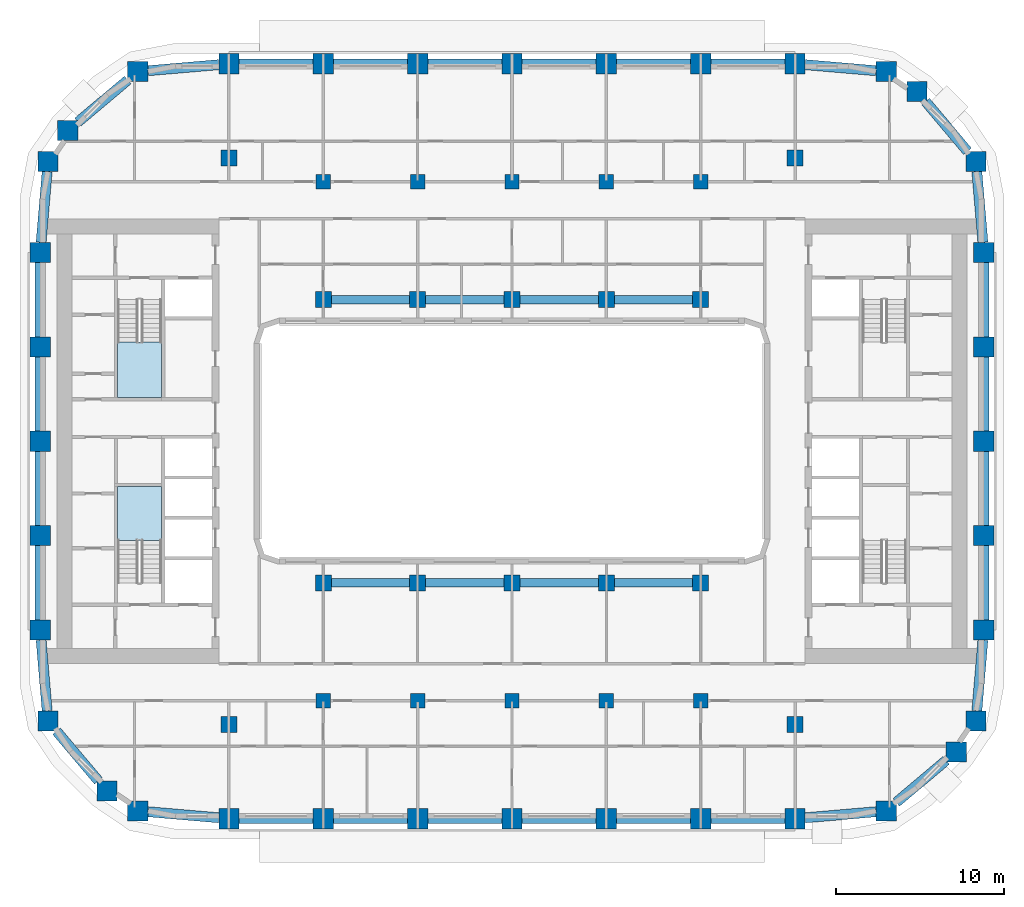
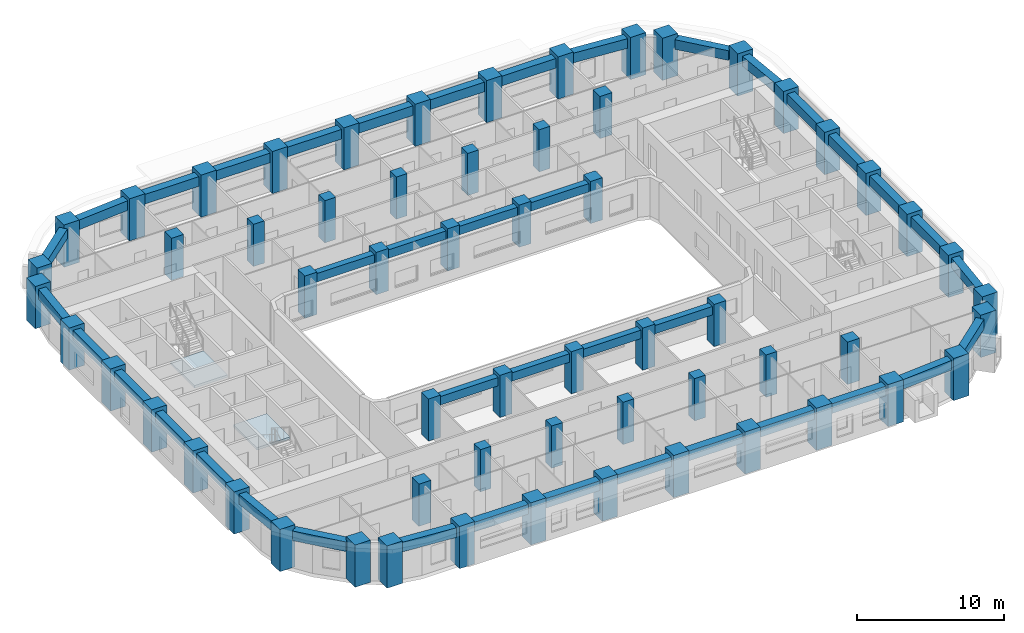
# One storey, part 1 of 22: 60 columns, 40 beams, 2 slabs, 2 elements without a shape of their own.
"""IFC4 building model written with IfcOpenShell, lengths in metres."""

from ifc_helpers import new_model, si_unit, direction, frame, origin, origin_2d, place, context, subcontext, project, spatial, polyline, rectangle, outline, extrude, material, layer, layer_set, material_profile, profile_set, type_object, element, aggregate, save


model = new_model("IFC4")

# Units and contexts
model_context = context("Model", 3, precision=1e-05, world=origin(), true_north=direction((0.0, 1.0)))
body_context = subcontext(model_context, "Body", "Model", "MODEL_VIEW")
ifc_project = project(units=[si_unit("LENGTHUNIT", "METRE"), si_unit("AREAUNIT", "SQUARE_METRE"), si_unit("VOLUMEUNIT", "CUBIC_METRE"), si_unit("PLANEANGLEUNIT", "RADIAN"), si_unit("MASSUNIT", "GRAM", prefix="KILO")], contexts=[model_context])

# Site, building, storey
site_placement = place(None, origin())
site = spatial("IfcSite", under=ifc_project, at=site_placement, CompositionType="ELEMENT")
building_placement = place(site_placement, origin())
building = spatial("IfcBuilding", under=site, at=building_placement, Name="Kiln Ring Residences", CompositionType="ELEMENT")
storey_placement = place(building_placement, frame((0.0, 0.0, 111.300048828125)))
storey = spatial("IfcBuildingStorey", under=building, at=storey_placement, Name="L28", CompositionType="ELEMENT", Elevation=111.300048828125)

# Columns
ifc_material_1 = material(Name="Concrete C80/95", Category="concrete")
ifc_material_profile_1 = material_profile(ifc_material_1, rectangle(XDim=0.85009765625, YDim=0.85009765625, at=origin_2d()), Name="RC850x850")
ifc_profile_set_1 = profile_set([ifc_material_profile_1], Name="Concrete C80/95")
column_type_1 = type_object("IfcColumnType", Name="Corridor column RC850x850 C80/95", PredefinedType="COLUMN", material=ifc_profile_set_1)
for number, where, z_axis, x_axis, name in (
    (1, (-11.199951171875, 15.39990234375, 0.0), (0.0, 0.0, 1.0), (1.0, 0.0, 0.0), "Corridor column L28 1"),
    (2, (-5.60009765625, 15.39990234375, 0.0), (0.0, 0.0, 1.0), (1.0, 0.0, 0.0), "Corridor column L28 2"),
    (3, (0.0, 15.39990234375, 0.0), (0.0, 0.0, 1.0), (1.0, 0.0, 0.0), "Corridor column L28 3"),
    (4, (5.60009765625, 15.39990234375, 0.0), (0.0, 0.0, 1.0), (1.0, 0.0, 0.0), "Corridor column L28 4"),
    (5, (11.199951171875, 15.39990234375, 0.0), (0.0, 0.0, 1.0), (1.0, 0.0, 0.0), "Corridor column L28 5"),
    (6, (-11.199951171875, -15.39990234375, 0.0), (0.0, 0.0, 1.0), (1.0, 0.0, 0.0), "Corridor column L28 6"),
    (7, (-5.60009765625, -15.39990234375, 0.0), (0.0, 0.0, 1.0), (1.0, 0.0, 0.0), "Corridor column L28 7"),
    (8, (0.0, -15.39990234375, 0.0), (0.0, 0.0, 1.0), (1.0, 0.0, 0.0), "Corridor column L28 8"),
    (9, (5.60009765625, -15.39990234375, 0.0), (0.0, 0.0, 1.0), (1.0, 0.0, 0.0), "Corridor column L28 9"),
    (10, (11.199951171875, -15.39990234375, 0.0), (0.0, 0.0, 1.0), (1.0, 0.0, 0.0), "Corridor column L28 10"),
):
    element("IfcColumn", number, at=place(storey_placement, frame(where, z_axis=z_axis, x_axis=x_axis)), inside=storey, type_object=column_type_1, Name=name, PredefinedType="COLUMN", context=body_context, shape_type="SweptSolid", body=[
        extrude(rectangle(XDim=0.85009765625, YDim=0.85009765625, at=origin_2d()), origin(), (0.0, 0.0, 1.0), 3.5),
    ])
ifc_material_2 = material(Name="Concrete C80/95", Category="concrete")
ifc_material_profile_2 = material_profile(ifc_material_2, rectangle(XDim=1.199951171875, YDim=1.199951171875, at=origin_2d()), Name="RC1200x1200")
ifc_profile_set_2 = profile_set([ifc_material_profile_2], Name="Concrete C80/95")
column_type_2 = type_object("IfcColumnType", Name="Perimeter column RC1200x1200 C80/95", PredefinedType="COLUMN", material=ifc_profile_set_2)
for number, where, z_axis, x_axis, name in (
    (11, (-22.208740234375, -21.93798828125, 0.0), (0.0, 0.0, 1.0), (1.0, 0.0, 0.0), "Perimeter column L28 1"),
    (12, (-16.800048828125, -22.39990234375, 0.0), (0.0, 0.0, 1.0), (1.0, 0.0, 0.0), "Perimeter column L28 2"),
    (13, (-11.199951171875, -22.39990234375, 0.0), (0.0, 0.0, 1.0), (1.0, 0.0, 0.0), "Perimeter column L28 3"),
    (14, (-5.60009765625, -22.39990234375, 0.0), (0.0, 0.0, 1.0), (1.0, 0.0, 0.0), "Perimeter column L28 4"),
    (15, (0.0, -22.39990234375, 0.0), (0.0, 0.0, 1.0), (1.0, 0.0, 0.0), "Perimeter column L28 5"),
    (16, (5.60009765625, -22.39990234375, 0.0), (0.0, 0.0, 1.0), (1.0, 0.0, 0.0), "Perimeter column L28 6"),
    (17, (11.199951171875, -22.39990234375, 0.0), (0.0, 0.0, 1.0), (1.0, 0.0, 0.0), "Perimeter column L28 7"),
    (18, (16.800048828125, -22.39990234375, 0.0), (0.0, 0.0, 1.0), (1.0, 0.0, 0.0), "Perimeter column L28 8"),
    (19, (22.208740234375, -21.93798828125, 0.0), (0.0, 0.0, 1.0), (1.0, 0.0, 0.0), "Perimeter column L28 9"),
    (20, (26.35986328125, -18.440185546875, 0.0), (0.0, 0.0, 1.0), (1.0, 0.0, 0.0), "Perimeter column L28 10"),
    (21, (27.5380859375, -16.608642578125, 0.0), (0.0, 0.0, 1.0), (1.0, 0.0, 0.0), "Perimeter column L28 11"),
    (22, (28.0, -11.199951171875, 0.0), (0.0, 0.0, 1.0), (1.0, 0.0, 0.0), "Perimeter column L28 12"),
    (23, (28.0, -5.60009765625, 0.0), (0.0, 0.0, 1.0), (1.0, 0.0, 0.0), "Perimeter column L28 13"),
    (24, (28.0, 0.0, 0.0), (0.0, 0.0, 1.0), (1.0, 0.0, 0.0), "Perimeter column L28 14"),
    (25, (28.0, 5.60009765625, 0.0), (0.0, 0.0, 1.0), (1.0, 0.0, 0.0), "Perimeter column L28 15"),
    (26, (28.0, 11.199951171875, 0.0), (0.0, 0.0, 1.0), (1.0, 0.0, 0.0), "Perimeter column L28 16"),
    (27, (27.5380859375, 16.608642578125, 0.0), (0.0, 0.0, 1.0), (1.0, 0.0, 0.0), "Perimeter column L28 17"),
    (28, (24.040283203125, 20.759765625, 0.0), (0.0, 0.0, 1.0), (1.0, 0.0, 0.0), "Perimeter column L28 18"),
    (29, (22.208740234375, 21.93798828125, 0.0), (0.0, 0.0, 1.0), (1.0, 0.0, 0.0), "Perimeter column L28 19"),
    (30, (16.800048828125, 22.39990234375, 0.0), (0.0, 0.0, 1.0), (1.0, 0.0, 0.0), "Perimeter column L28 20"),
    (31, (11.199951171875, 22.39990234375, 0.0), (0.0, 0.0, 1.0), (1.0, 0.0, 0.0), "Perimeter column L28 21"),
    (32, (5.60009765625, 22.39990234375, 0.0), (0.0, 0.0, 1.0), (1.0, 0.0, 0.0), "Perimeter column L28 22"),
    (33, (0.0, 22.39990234375, 0.0), (0.0, 0.0, 1.0), (1.0, 0.0, 0.0), "Perimeter column L28 23"),
    (34, (-5.60009765625, 22.39990234375, 0.0), (0.0, 0.0, 1.0), (1.0, 0.0, 0.0), "Perimeter column L28 24"),
    (35, (-11.199951171875, 22.39990234375, 0.0), (0.0, 0.0, 1.0), (1.0, 0.0, 0.0), "Perimeter column L28 25"),
    (36, (-16.800048828125, 22.39990234375, 0.0), (0.0, 0.0, 1.0), (1.0, 0.0, 0.0), "Perimeter column L28 26"),
    (37, (-22.208740234375, 21.93798828125, 0.0), (0.0, 0.0, 1.0), (1.0, 0.0, 0.0), "Perimeter column L28 27"),
    (38, (-26.35986328125, 18.440185546875, 0.0), (0.0, 0.0, 1.0), (1.0, 0.0, 0.0), "Perimeter column L28 28"),
    (39, (-27.5380859375, 16.608642578125, 0.0), (0.0, 0.0, 1.0), (1.0, 0.0, 0.0), "Perimeter column L28 29"),
    (40, (-28.0, 11.199951171875, 0.0), (0.0, 0.0, 1.0), (1.0, 0.0, 0.0), "Perimeter column L28 30"),
    (41, (-28.0, 5.60009765625, 0.0), (0.0, 0.0, 1.0), (1.0, 0.0, 0.0), "Perimeter column L28 31"),
    (42, (-28.0, 0.0, 0.0), (0.0, 0.0, 1.0), (1.0, 0.0, 0.0), "Perimeter column L28 32"),
    (43, (-28.0, -5.60009765625, 0.0), (0.0, 0.0, 1.0), (1.0, 0.0, 0.0), "Perimeter column L28 33"),
    (44, (-28.0, -11.199951171875, 0.0), (0.0, 0.0, 1.0), (1.0, 0.0, 0.0), "Perimeter column L28 34"),
    (45, (-27.5380859375, -16.608642578125, 0.0), (0.0, 0.0, 1.0), (1.0, 0.0, 0.0), "Perimeter column L28 35"),
    (46, (-24.040283203125, -20.759765625, 0.0), (0.0, 0.0, 1.0), (1.0, 0.0, 0.0), "Perimeter column L28 36"),
):
    element("IfcColumn", number, at=place(storey_placement, frame(where, z_axis=z_axis, x_axis=x_axis)), inside=storey, type_object=column_type_2, Name=name, PredefinedType="COLUMN", context=body_context, shape_type="SweptSolid", body=[
        extrude(rectangle(XDim=1.199951171875, YDim=1.199951171875, at=origin_2d()), origin(), (0.0, 0.0, 1.0), 3.5),
    ])
ifc_material_3 = material(Name="Concrete C80/95", Category="concrete")
ifc_material_profile_3 = material_profile(ifc_material_3, rectangle(XDim=0.949951171875, YDim=0.949951171875, at=origin_2d()), Name="RC950x950")
ifc_profile_set_3 = profile_set([ifc_material_profile_3], Name="Concrete C80/95")
column_type_3 = type_object("IfcColumnType", Name="Ring column RC950x950 C80/95", PredefinedType="COLUMN", material=ifc_profile_set_3)
for number, where, z_axis, x_axis, name in (
    (47, (-16.800048828125, -16.800048828125, 0.0), (0.0, 0.0, 1.0), (1.0, 0.0, 0.0), "Ring column L28 1"),
    (48, (-16.800048828125, 16.800048828125, 0.0), (0.0, 0.0, 1.0), (1.0, 0.0, 0.0), "Ring column L28 2"),
    (49, (-11.199951171875, -8.39990234375, 0.0), (0.0, 0.0, 1.0), (1.0, 0.0, 0.0), "Ring column L28 3"),
    (50, (-11.199951171875, 8.39990234375, 0.0), (0.0, 0.0, 1.0), (1.0, 0.0, 0.0), "Ring column L28 4"),
    (51, (-5.60009765625, -8.39990234375, 0.0), (0.0, 0.0, 1.0), (1.0, 0.0, 0.0), "Ring column L28 5"),
    (52, (-5.60009765625, 8.39990234375, 0.0), (0.0, 0.0, 1.0), (1.0, 0.0, 0.0), "Ring column L28 6"),
    (53, (0.0, -8.39990234375, 0.0), (0.0, 0.0, 1.0), (1.0, 0.0, 0.0), "Ring column L28 7"),
    (54, (0.0, 8.39990234375, 0.0), (0.0, 0.0, 1.0), (1.0, 0.0, 0.0), "Ring column L28 8"),
    (55, (5.60009765625, -8.39990234375, 0.0), (0.0, 0.0, 1.0), (1.0, 0.0, 0.0), "Ring column L28 9"),
    (56, (5.60009765625, 8.39990234375, 0.0), (0.0, 0.0, 1.0), (1.0, 0.0, 0.0), "Ring column L28 10"),
    (57, (11.199951171875, -8.39990234375, 0.0), (0.0, 0.0, 1.0), (1.0, 0.0, 0.0), "Ring column L28 11"),
    (58, (11.199951171875, 8.39990234375, 0.0), (0.0, 0.0, 1.0), (1.0, 0.0, 0.0), "Ring column L28 12"),
    (59, (16.800048828125, -16.800048828125, 0.0), (0.0, 0.0, 1.0), (1.0, 0.0, 0.0), "Ring column L28 13"),
    (60, (16.800048828125, 16.800048828125, 0.0), (0.0, 0.0, 1.0), (1.0, 0.0, 0.0), "Ring column L28 14"),
):
    element("IfcColumn", number, at=place(storey_placement, frame(where, z_axis=z_axis, x_axis=x_axis)), inside=storey, type_object=column_type_3, Name=name, PredefinedType="COLUMN", context=body_context, shape_type="SweptSolid", body=[
        extrude(rectangle(XDim=0.949951171875, YDim=0.949951171875, at=origin_2d()), origin(), (0.0, 0.0, 1.0), 3.5),
    ])

# Beams
ifc_material_4 = material(Name="Concrete C50/60", Category="concrete")
ifc_material_profile_4 = material_profile(ifc_material_4, rectangle(XDim=0.5, YDim=0.699951171875, at=origin_2d()), Name="RC500x700")
ifc_profile_set_4 = profile_set([ifc_material_profile_4], Name="Concrete C50/60")
beam_type_1 = type_object("IfcBeamType", Name="Ring beam RC500x700 C50/60", PredefinedType="BEAM", material=ifc_profile_set_4)
beam_1_placement = place(storey_placement, frame((-10.72509765625, -8.39990234375, 2.849853515625), z_axis=(1.0, 0.0, 0.0), x_axis=(0.0, 1.0, 0.0)))
element("IfcBeam", 61, at=beam_1_placement, inside=storey, type_object=beam_type_1, Name="Ring beam L28 1", PredefinedType="BEAM", context=body_context, shape_type="SweptSolid", body=[
    extrude(rectangle(XDim=0.5, YDim=0.699951171875, at=origin_2d()), origin(), (0.0, 0.0, 1.0), 4.650146484375),
])
for number, where, z_axis, x_axis, name in (
    (62, (-5.125, -8.39990234375, 2.849853515625), (1.0, 0.0, 0.0), (0.0, 1.0, 0.0), "Ring beam L28 2"),
    (63, (0.47509765625, -8.39990234375, 2.849853515625), (1.0, 0.0, 0.0), (0.0, 1.0, 0.0), "Ring beam L28 3"),
):
    element("IfcBeam", number, at=place(storey_placement, frame(where, z_axis=z_axis, x_axis=x_axis)), inside=storey, type_object=beam_type_1, Name=name, PredefinedType="BEAM", context=body_context, shape_type="SweptSolid", body=[
        extrude(rectangle(XDim=0.5, YDim=0.699951171875, at=origin_2d()), origin(), (0.0, 0.0, 1.0), 4.64990234375),
    ])
for number, where, z_axis, x_axis, name in (
    (64, (6.074951171875, -8.39990234375, 2.849853515625), (1.0, 0.0, 0.0), (0.0, 1.0, 0.0), "Ring beam L28 4"),
    (65, (-10.72509765625, 8.39990234375, 2.849853515625), (1.0, 0.0, 0.0), (0.0, 1.0, 0.0), "Ring beam L28 5"),
):
    element("IfcBeam", number, at=place(storey_placement, frame(where, z_axis=z_axis, x_axis=x_axis)), inside=storey, type_object=beam_type_1, Name=name, PredefinedType="BEAM", context=body_context, shape_type="SweptSolid", body=[
        extrude(rectangle(XDim=0.5, YDim=0.699951171875, at=origin_2d()), origin(), (0.0, 0.0, 1.0), 4.650146484375),
    ])
for number, where, z_axis, x_axis, name in (
    (66, (-5.125, 8.39990234375, 2.849853515625), (1.0, 0.0, 0.0), (0.0, 1.0, 0.0), "Ring beam L28 6"),
    (67, (0.47509765625, 8.39990234375, 2.849853515625), (1.0, 0.0, 0.0), (0.0, 1.0, 0.0), "Ring beam L28 7"),
):
    element("IfcBeam", number, at=place(storey_placement, frame(where, z_axis=z_axis, x_axis=x_axis)), inside=storey, type_object=beam_type_1, Name=name, PredefinedType="BEAM", context=body_context, shape_type="SweptSolid", body=[
        extrude(rectangle(XDim=0.5, YDim=0.699951171875, at=origin_2d()), origin(), (0.0, 0.0, 1.0), 4.64990234375),
    ])
beam_2_placement = place(storey_placement, frame((6.074951171875, 8.39990234375, 2.849853515625), z_axis=(1.0, 0.0, 0.0), x_axis=(0.0, 1.0, 0.0)))
element("IfcBeam", 68, at=beam_2_placement, inside=storey, type_object=beam_type_1, Name="Ring beam L28 8", PredefinedType="BEAM", context=body_context, shape_type="SweptSolid", body=[
    extrude(rectangle(XDim=0.5, YDim=0.699951171875, at=origin_2d()), origin(), (0.0, 0.0, 1.0), 4.650146484375),
])
ifc_material_5 = material(Name="Concrete C50/60", Category="concrete")
ifc_material_profile_5 = material_profile(ifc_material_5, rectangle(XDim=0.60009765625, YDim=0.800048828125, at=origin_2d()), Name="RC600x800")
ifc_profile_set_5 = profile_set([ifc_material_profile_5], Name="Concrete C50/60")
beam_type_2 = type_object("IfcBeamType", Name="Spandrel beam RC600x800 C50/60", PredefinedType="SPANDREL", material=ifc_profile_set_5)
beam_3_placement = place(storey_placement, frame((-21.608642578125, -21.9892578125, 2.800048828125), z_axis=(0.996369376645, -0.085135570033, 0.0), x_axis=(0.085135570033, 0.996369376645, 0.0)))
element("IfcBeam", 69, at=beam_3_placement, inside=storey, type_object=beam_type_2, Name="Spandrel beam L28 1", PredefinedType="SPANDREL", context=body_context, shape_type="SweptSolid", body=[
    extrude(rectangle(XDim=0.60009765625, YDim=0.800048828125, at=origin_2d()), origin(), (0.0, 0.0, 1.0), 4.22412109375),
])
beam_4_placement = place(storey_placement, frame((-16.199951171875, -22.39990234375, 2.800048828125), z_axis=(1.0, 0.0, 0.0), x_axis=(0.0, 1.0, 0.0)))
element("IfcBeam", 70, at=beam_4_placement, inside=storey, type_object=beam_type_2, Name="Spandrel beam L28 2", PredefinedType="SPANDREL", context=body_context, shape_type="SweptSolid", body=[
    extrude(rectangle(XDim=0.60009765625, YDim=0.800048828125, at=origin_2d()), origin(), (0.0, 0.0, 1.0), 4.39990234375),
])
beam_5_placement = place(storey_placement, frame((-10.60009765625, -22.39990234375, 2.800048828125), z_axis=(1.0, 0.0, 0.0), x_axis=(0.0, 1.0, 0.0)))
element("IfcBeam", 71, at=beam_5_placement, inside=storey, type_object=beam_type_2, Name="Spandrel beam L28 3", PredefinedType="SPANDREL", context=body_context, shape_type="SweptSolid", body=[
    extrude(rectangle(XDim=0.60009765625, YDim=0.800048828125, at=origin_2d()), origin(), (0.0, 0.0, 1.0), 4.400146484375),
])
for number, where, z_axis, x_axis, name in (
    (72, (-5.0, -22.39990234375, 2.800048828125), (1.0, 0.0, 0.0), (0.0, 1.0, 0.0), "Spandrel beam L28 4"),
    (73, (0.60009765625, -22.39990234375, 2.800048828125), (1.0, 0.0, 0.0), (0.0, 1.0, 0.0), "Spandrel beam L28 5"),
):
    element("IfcBeam", number, at=place(storey_placement, frame(where, z_axis=z_axis, x_axis=x_axis)), inside=storey, type_object=beam_type_2, Name=name, PredefinedType="SPANDREL", context=body_context, shape_type="SweptSolid", body=[
        extrude(rectangle(XDim=0.60009765625, YDim=0.800048828125, at=origin_2d()), origin(), (0.0, 0.0, 1.0), 4.39990234375),
    ])
beam_6_placement = place(storey_placement, frame((6.199951171875, -22.39990234375, 2.800048828125), z_axis=(1.0, 0.0, 0.0), x_axis=(0.0, 1.0, 0.0)))
element("IfcBeam", 74, at=beam_6_placement, inside=storey, type_object=beam_type_2, Name="Spandrel beam L28 6", PredefinedType="SPANDREL", context=body_context, shape_type="SweptSolid", body=[
    extrude(rectangle(XDim=0.60009765625, YDim=0.800048828125, at=origin_2d()), origin(), (0.0, 0.0, 1.0), 4.400146484375),
])
beam_7_placement = place(storey_placement, frame((11.800048828125, -22.39990234375, 2.800048828125), z_axis=(1.0, 0.0, 0.0), x_axis=(0.0, 1.0, 0.0)))
element("IfcBeam", 75, at=beam_7_placement, inside=storey, type_object=beam_type_2, Name="Spandrel beam L28 7", PredefinedType="SPANDREL", context=body_context, shape_type="SweptSolid", body=[
    extrude(rectangle(XDim=0.60009765625, YDim=0.800048828125, at=origin_2d()), origin(), (0.0, 0.0, 1.0), 4.39990234375),
])
beam_8_placement = place(storey_placement, frame((17.39990234375, -22.348876953125, 2.800048828125), z_axis=(0.996369376645, 0.085135570033, 0.0), x_axis=(-0.085135570033, 0.996369376645, 0.0)))
element("IfcBeam", 76, at=beam_8_placement, inside=storey, type_object=beam_type_2, Name="Spandrel beam L28 8", PredefinedType="SPANDREL", context=body_context, shape_type="SweptSolid", body=[
    extrude(rectangle(XDim=0.60009765625, YDim=0.800048828125, at=origin_2d()), origin(), (0.0, 0.0, 1.0), 4.22412109375),
])
beam_9_placement = place(storey_placement, frame((22.80859375, -21.4326171875, 2.800048828125), z_axis=(0.764704456802, 0.644381171161, 0.0), x_axis=(-0.644381171161, 0.764704456802, 0.0)))
element("IfcBeam", 77, at=beam_9_placement, inside=storey, type_object=beam_type_2, Name="Spandrel beam L28 9", PredefinedType="SPANDREL", context=body_context, shape_type="SweptSolid", body=[
    extrude(rectangle(XDim=0.60009765625, YDim=0.800048828125, at=origin_2d()), origin(), (0.0, 0.0, 1.0), 3.859130859375),
])
beam_10_placement = place(storey_placement, frame((27.58935546875, -16.0087890625, 2.800048828125), z_axis=(0.085078191129, 0.996374277766, 0.0), x_axis=(-0.996374277766, 0.085078191129, 0.0)))
element("IfcBeam", 78, at=beam_10_placement, inside=storey, type_object=beam_type_2, Name="Spandrel beam L28 10", PredefinedType="SPANDREL", context=body_context, shape_type="SweptSolid", body=[
    extrude(rectangle(XDim=0.60009765625, YDim=0.800048828125, at=origin_2d()), origin(), (0.0, 0.0, 1.0), 4.22412109375),
])
beam_11_placement = place(storey_placement, frame((28.0, -10.60009765625, 2.800048828125), z_axis=(0.0, 1.0, 0.0), x_axis=(-1.0, 0.0, 0.0)))
element("IfcBeam", 79, at=beam_11_placement, inside=storey, type_object=beam_type_2, Name="Spandrel beam L28 11", PredefinedType="SPANDREL", context=body_context, shape_type="SweptSolid", body=[
    extrude(rectangle(XDim=0.60009765625, YDim=0.800048828125, at=origin_2d()), origin(), (0.0, 0.0, 1.0), 4.400146484375),
])
for number, where, z_axis, x_axis, name in (
    (80, (28.0, -5.0, 2.800048828125), (0.0, 1.0, 0.0), (-1.0, 0.0, 0.0), "Spandrel beam L28 12"),
    (81, (28.0, 0.60009765625, 2.800048828125), (0.0, 1.0, 0.0), (-1.0, 0.0, 0.0), "Spandrel beam L28 13"),
):
    element("IfcBeam", number, at=place(storey_placement, frame(where, z_axis=z_axis, x_axis=x_axis)), inside=storey, type_object=beam_type_2, Name=name, PredefinedType="SPANDREL", context=body_context, shape_type="SweptSolid", body=[
        extrude(rectangle(XDim=0.60009765625, YDim=0.800048828125, at=origin_2d()), origin(), (0.0, 0.0, 1.0), 4.39990234375),
    ])
beam_12_placement = place(storey_placement, frame((28.0, 6.199951171875, 2.800048828125), z_axis=(0.0, 1.0, 0.0), x_axis=(-1.0, 0.0, 0.0)))
element("IfcBeam", 82, at=beam_12_placement, inside=storey, type_object=beam_type_2, Name="Spandrel beam L28 14", PredefinedType="SPANDREL", context=body_context, shape_type="SweptSolid", body=[
    extrude(rectangle(XDim=0.60009765625, YDim=0.800048828125, at=origin_2d()), origin(), (0.0, 0.0, 1.0), 4.400146484375),
])
beam_13_placement = place(storey_placement, frame((27.94873046875, 11.800048828125, 2.800048828125), z_axis=(-0.085078191129, 0.996374277766, 0.0), x_axis=(-0.996374277766, -0.085078191129, 0.0)))
element("IfcBeam", 83, at=beam_13_placement, inside=storey, type_object=beam_type_2, Name="Spandrel beam L28 15", PredefinedType="SPANDREL", context=body_context, shape_type="SweptSolid", body=[
    extrude(rectangle(XDim=0.60009765625, YDim=0.800048828125, at=origin_2d()), origin(), (0.0, 0.0, 1.0), 4.22412109375),
])
beam_14_placement = place(storey_placement, frame((27.032470703125, 17.208740234375, 2.800048828125), z_axis=(-0.644344175314, 0.764735629965, 0.0), x_axis=(-0.764735629965, -0.644344175314, 0.0)))
element("IfcBeam", 84, at=beam_14_placement, inside=storey, type_object=beam_type_2, Name="Spandrel beam L28 16", PredefinedType="SPANDREL", context=body_context, shape_type="SweptSolid", body=[
    extrude(rectangle(XDim=0.60009765625, YDim=0.800048828125, at=origin_2d()), origin(), (0.0, 0.0, 1.0), 3.859130859375),
])
beam_15_placement = place(storey_placement, frame((21.608642578125, 21.9892578125, 2.800048828125), z_axis=(-0.996369376645, 0.085135570033, 0.0), x_axis=(-0.085135570033, -0.996369376645, 0.0)))
element("IfcBeam", 85, at=beam_15_placement, inside=storey, type_object=beam_type_2, Name="Spandrel beam L28 17", PredefinedType="SPANDREL", context=body_context, shape_type="SweptSolid", body=[
    extrude(rectangle(XDim=0.60009765625, YDim=0.800048828125, at=origin_2d()), origin(), (0.0, 0.0, 1.0), 4.22412109375),
])
beam_16_placement = place(storey_placement, frame((16.199951171875, 22.39990234375, 2.800048828125), z_axis=(-1.0, 0.0, 0.0), x_axis=(0.0, -1.0, 0.0)))
element("IfcBeam", 86, at=beam_16_placement, inside=storey, type_object=beam_type_2, Name="Spandrel beam L28 18", PredefinedType="SPANDREL", context=body_context, shape_type="SweptSolid", body=[
    extrude(rectangle(XDim=0.60009765625, YDim=0.800048828125, at=origin_2d()), origin(), (0.0, 0.0, 1.0), 4.39990234375),
])
beam_17_placement = place(storey_placement, frame((10.60009765625, 22.39990234375, 2.800048828125), z_axis=(-1.0, 0.0, 0.0), x_axis=(0.0, -1.0, 0.0)))
element("IfcBeam", 87, at=beam_17_placement, inside=storey, type_object=beam_type_2, Name="Spandrel beam L28 19", PredefinedType="SPANDREL", context=body_context, shape_type="SweptSolid", body=[
    extrude(rectangle(XDim=0.60009765625, YDim=0.800048828125, at=origin_2d()), origin(), (0.0, 0.0, 1.0), 4.400146484375),
])
for number, where, z_axis, x_axis, name in (
    (88, (5.0, 22.39990234375, 2.800048828125), (-1.0, 0.0, 0.0), (0.0, -1.0, 0.0), "Spandrel beam L28 20"),
    (89, (-0.60009765625, 22.39990234375, 2.800048828125), (-1.0, 0.0, 0.0), (0.0, -1.0, 0.0), "Spandrel beam L28 21"),
):
    element("IfcBeam", number, at=place(storey_placement, frame(where, z_axis=z_axis, x_axis=x_axis)), inside=storey, type_object=beam_type_2, Name=name, PredefinedType="SPANDREL", context=body_context, shape_type="SweptSolid", body=[
        extrude(rectangle(XDim=0.60009765625, YDim=0.800048828125, at=origin_2d()), origin(), (0.0, 0.0, 1.0), 4.39990234375),
    ])
beam_18_placement = place(storey_placement, frame((-6.199951171875, 22.39990234375, 2.800048828125), z_axis=(-1.0, 0.0, 0.0), x_axis=(0.0, -1.0, 0.0)))
element("IfcBeam", 90, at=beam_18_placement, inside=storey, type_object=beam_type_2, Name="Spandrel beam L28 22", PredefinedType="SPANDREL", context=body_context, shape_type="SweptSolid", body=[
    extrude(rectangle(XDim=0.60009765625, YDim=0.800048828125, at=origin_2d()), origin(), (0.0, 0.0, 1.0), 4.400146484375),
])
beam_19_placement = place(storey_placement, frame((-11.800048828125, 22.39990234375, 2.800048828125), z_axis=(-1.0, 0.0, 0.0), x_axis=(0.0, -1.0, 0.0)))
element("IfcBeam", 91, at=beam_19_placement, inside=storey, type_object=beam_type_2, Name="Spandrel beam L28 23", PredefinedType="SPANDREL", context=body_context, shape_type="SweptSolid", body=[
    extrude(rectangle(XDim=0.60009765625, YDim=0.800048828125, at=origin_2d()), origin(), (0.0, 0.0, 1.0), 4.39990234375),
])
beam_20_placement = place(storey_placement, frame((-17.39990234375, 22.348876953125, 2.800048828125), z_axis=(-0.996369376645, -0.085135570033, 0.0), x_axis=(0.085135570033, -0.996369376645, 0.0)))
element("IfcBeam", 92, at=beam_20_placement, inside=storey, type_object=beam_type_2, Name="Spandrel beam L28 24", PredefinedType="SPANDREL", context=body_context, shape_type="SweptSolid", body=[
    extrude(rectangle(XDim=0.60009765625, YDim=0.800048828125, at=origin_2d()), origin(), (0.0, 0.0, 1.0), 4.22412109375),
])
beam_21_placement = place(storey_placement, frame((-22.80859375, 21.4326171875, 2.800048828125), z_axis=(-0.764704456802, -0.644381171161, 0.0), x_axis=(0.644381171161, -0.764704456802, 0.0)))
element("IfcBeam", 93, at=beam_21_placement, inside=storey, type_object=beam_type_2, Name="Spandrel beam L28 25", PredefinedType="SPANDREL", context=body_context, shape_type="SweptSolid", body=[
    extrude(rectangle(XDim=0.60009765625, YDim=0.800048828125, at=origin_2d()), origin(), (0.0, 0.0, 1.0), 3.859130859375),
])
beam_22_placement = place(storey_placement, frame((-27.58935546875, 16.0087890625, 2.800048828125), z_axis=(-0.085078191129, -0.996374277766, 0.0), x_axis=(0.996374277766, -0.085078191129, 0.0)))
element("IfcBeam", 94, at=beam_22_placement, inside=storey, type_object=beam_type_2, Name="Spandrel beam L28 26", PredefinedType="SPANDREL", context=body_context, shape_type="SweptSolid", body=[
    extrude(rectangle(XDim=0.60009765625, YDim=0.800048828125, at=origin_2d()), origin(), (0.0, 0.0, 1.0), 4.22412109375),
])
beam_23_placement = place(storey_placement, frame((-28.0, 10.60009765625, 2.800048828125), z_axis=(0.0, -1.0, 0.0), x_axis=(1.0, 0.0, 0.0)))
element("IfcBeam", 95, at=beam_23_placement, inside=storey, type_object=beam_type_2, Name="Spandrel beam L28 27", PredefinedType="SPANDREL", context=body_context, shape_type="SweptSolid", body=[
    extrude(rectangle(XDim=0.60009765625, YDim=0.800048828125, at=origin_2d()), origin(), (0.0, 0.0, 1.0), 4.400146484375),
])
for number, where, z_axis, x_axis, name in (
    (96, (-28.0, 5.0, 2.800048828125), (0.0, -1.0, 0.0), (1.0, 0.0, 0.0), "Spandrel beam L28 28"),
    (97, (-28.0, -0.60009765625, 2.800048828125), (0.0, -1.0, 0.0), (1.0, 0.0, 0.0), "Spandrel beam L28 29"),
):
    element("IfcBeam", number, at=place(storey_placement, frame(where, z_axis=z_axis, x_axis=x_axis)), inside=storey, type_object=beam_type_2, Name=name, PredefinedType="SPANDREL", context=body_context, shape_type="SweptSolid", body=[
        extrude(rectangle(XDim=0.60009765625, YDim=0.800048828125, at=origin_2d()), origin(), (0.0, 0.0, 1.0), 4.39990234375),
    ])
beam_24_placement = place(storey_placement, frame((-28.0, -6.199951171875, 2.800048828125), z_axis=(0.0, -1.0, 0.0), x_axis=(1.0, 0.0, 0.0)))
element("IfcBeam", 98, at=beam_24_placement, inside=storey, type_object=beam_type_2, Name="Spandrel beam L28 30", PredefinedType="SPANDREL", context=body_context, shape_type="SweptSolid", body=[
    extrude(rectangle(XDim=0.60009765625, YDim=0.800048828125, at=origin_2d()), origin(), (0.0, 0.0, 1.0), 4.400146484375),
])
beam_25_placement = place(storey_placement, frame((-27.94873046875, -11.800048828125, 2.800048828125), z_axis=(0.085078191129, -0.996374277766, 0.0), x_axis=(0.996374277766, 0.085078191129, 0.0)))
element("IfcBeam", 99, at=beam_25_placement, inside=storey, type_object=beam_type_2, Name="Spandrel beam L28 31", PredefinedType="SPANDREL", context=body_context, shape_type="SweptSolid", body=[
    extrude(rectangle(XDim=0.60009765625, YDim=0.800048828125, at=origin_2d()), origin(), (0.0, 0.0, 1.0), 4.22412109375),
])
beam_26_placement = place(storey_placement, frame((-27.032470703125, -17.208740234375, 2.800048828125), z_axis=(0.644344175314, -0.764735629965, 0.0), x_axis=(0.764735629965, 0.644344175314, 0.0)))
element("IfcBeam", 100, at=beam_26_placement, inside=storey, type_object=beam_type_2, Name="Spandrel beam L28 32", PredefinedType="SPANDREL", context=body_context, shape_type="SweptSolid", body=[
    extrude(rectangle(XDim=0.60009765625, YDim=0.800048828125, at=origin_2d()), origin(), (0.0, 0.0, 1.0), 3.859130859375),
])

# Stair, slab
ifc_material_6 = material(Name="Concrete C40/50", Category="concrete")
stair_type = type_object("IfcStairType", Name="CORE-STAIR", PredefinedType="HALF_TURN_STAIR", material=ifc_material_6)
placement_1 = place(storey_placement, origin())
stair_1 = element("IfcStair", 101, at=placement_1, inside=storey, type_object=stair_type, Name="L28 stair W-STN", PredefinedType="HALF_TURN_STAIR")
ifc_material_7 = material(Name="Concrete C40/50", Category="concrete")
ifc_layer = layer(ifc_material_7, 0.199951171875)
ifc_layer_set = layer_set([ifc_layer], Name="CORE-STAIR-LANDING")
slab_type = type_object("IfcSlabType", Name="CORE-STAIR-LANDING", PredefinedType="LANDING", material=ifc_layer_set)
placement_2 = place(storey_placement, frame((0.0, 0.0, 1.550048828125)))
slab_1 = element("IfcSlab", 102, at=placement_2, type_object=slab_type, Name="W-STN landing 1", PredefinedType="LANDING", context=body_context, shape_type="SweptSolid", body=[
    extrude(outline(polyline([(-23.39990234375, 5.8798828125), (-23.39990234375, 2.60009765625), (-20.800048828125, 2.60009765625), (-20.800048828125, 5.8798828125), (-23.39990234375, 5.8798828125)])), origin(), (0.0, 0.0, 1.0), 0.199951171875),
])
aggregate(stair_1, [slab_1])

stair_2 = element("IfcStair", 103, at=placement_1, inside=storey, type_object=stair_type, Name="L28 stair W-STS", PredefinedType="HALF_TURN_STAIR")
slab_2 = element("IfcSlab", 104, at=placement_2, type_object=slab_type, Name="W-STS landing 1", PredefinedType="LANDING", context=body_context, shape_type="SweptSolid", body=[
    extrude(outline(polyline([(-20.800048828125, -5.8798828125), (-20.800048828125, -2.699951171875), (-23.39990234375, -2.699951171875), (-23.39990234375, -5.8798828125), (-20.800048828125, -5.8798828125)])), origin(), (0.0, 0.0, 1.0), 0.199951171875),
])
aggregate(stair_2, [slab_2])

save(model, "model.ifc")
